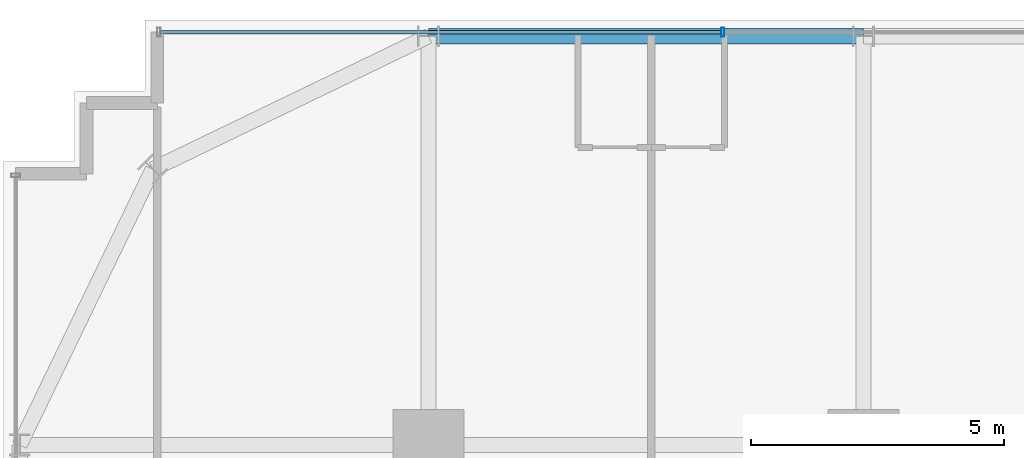
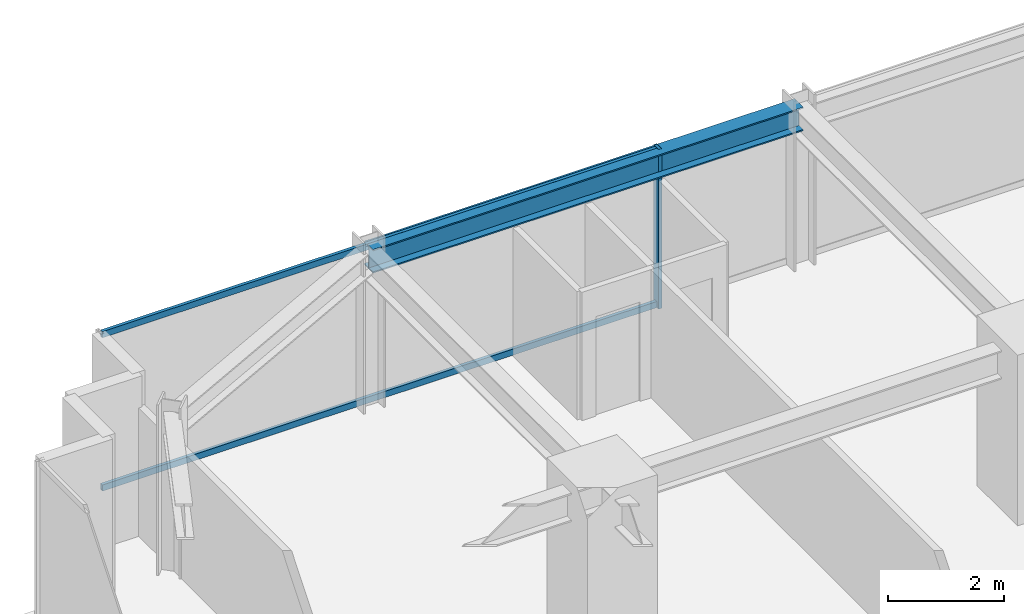
# One storey, part 21 of 36: 3 members, 1 beam, 1 element without a shape of its own.
"""IFC4 building model written with IfcOpenShell, lengths in metres."""

from ifc_helpers import new_model, si_unit, direction, frame, origin, origin_2d, place, context, subcontext, project, spatial, hollow_rectangle, i_section, extrude, source, transform, mapped, material, material_profile, profile_set, type_object, element, aggregate, save


model = new_model("IFC4")

# Units and contexts
model_context = context("Model", 3, precision=1e-05, world=origin(), true_north=direction((0.0, 1.0)))
body_context = subcontext(model_context, "Body", "Model", "MODEL_VIEW")
ifc_project = project(units=[si_unit("LENGTHUNIT", "METRE"), si_unit("AREAUNIT", "SQUARE_METRE"), si_unit("VOLUMEUNIT", "CUBIC_METRE"), si_unit("PLANEANGLEUNIT", "RADIAN"), si_unit("MASSUNIT", "GRAM", prefix="KILO")], contexts=[model_context])

# Site, building, storey
site_placement = place(None, origin())
site = spatial("IfcSite", under=ifc_project, at=site_placement, CompositionType="ELEMENT")
building_placement = place(site_placement, origin())
building = spatial("IfcBuilding", under=site, at=building_placement, Name="Nahalor Promenade Grand Hotel", CompositionType="ELEMENT")
storey_placement = place(building_placement, frame((0.0, 0.0, 72.550048828125)))
storey = spatial("IfcBuildingStorey", under=building, at=storey_placement, Name="L17", CompositionType="ELEMENT", Elevation=72.550048828125)

# Beam
ifc_material_1 = material(Name="Steel S355JR", Category="steel")
ifc_material_profile_1 = material_profile(ifc_material_1, i_section(OverallWidth=0.3, OverallDepth=0.5, WebThickness=0.0145, FlangeThickness=0.028, at=origin_2d()), Name="HEB 500")
ifc_profile_set_1 = profile_set([ifc_material_profile_1], Name="Steel S355JR")
beam_type = type_object("IfcBeamType", Name="Beam-Spandrel-HEB500", PredefinedType="SPANDREL", material=ifc_profile_set_1)
shared_shape_1 = source(origin(), body_context, "Body", "SweptSolid", [
    extrude(i_section(OverallWidth=0.3, OverallDepth=0.5, WebThickness=0.0145, FlangeThickness=0.028, at=origin_2d()), origin(), (0.0, 0.0, 1.0), 8.60009765625),
])
beam_placement = place(storey_placement, frame((-17.0, 25.080078125, 3.119873046875), z_axis=(1.0, 0.0, 0.0), x_axis=(0.0, 1.0, 0.0)))
element("IfcBeam", 1, at=beam_placement, inside=storey, type_object=beam_type, Name="BM-L17-SP-N-0", PredefinedType="SPANDREL", context=body_context, shape_type="MappedRepresentation", body=[
    mapped(shared_shape_1, transform((0.0, 0.0, 0.0), scale=1.0)),
])

# Curtain wall, members
ifc_material_2 = material(Name="Anodised Bronze Aluminium EN AW-6063 T6", Category="aluminium")
curtain_wall_type = type_object("IfcCurtainWallType", Name="CW2 Typical Hotel Flush Bronze Unitised Curtain Wall", PredefinedType="USERDEFINED", material=ifc_material_2)
curtain_wall_placement = place(storey_placement, origin())
curtain_wall = element("IfcCurtainWall", 2, at=curtain_wall_placement, inside=storey, type_object=curtain_wall_type, Name="L17 Curtain Wall CW-L17-N-1", ObjectType="UNITISED_CURTAIN_WALL", PredefinedType="USERDEFINED")
ifc_material_profile_2 = material_profile(ifc_material_2, hollow_rectangle(XDim=0.065, YDim=0.13, WallThickness=0.004, at=origin_2d()), Name="CWT 65x130x4")
ifc_profile_set_2 = profile_set([ifc_material_profile_2], Name="Anodised Bronze Aluminium EN AW-6063 T6")
member_type_1 = type_object("IfcMemberType", Name="CWT2 Typical Bronze Transom 65x130", PredefinedType="USERDEFINED", material=ifc_profile_set_2)
shared_shape_2 = source(origin(), body_context, "Body", "SweptSolid", [
    extrude(hollow_rectangle(XDim=0.065, YDim=0.13, WallThickness=0.004, at=origin_2d()), origin(), (0.0, 0.0, 1.0), 11.08251953125),
])
member_1_placement = place(storey_placement, frame((-22.294921875, 25.159912109375, 0.06494140625), z_axis=(1.0, 0.0, 0.0), x_axis=(0.0, 1.0, 0.0)))
member_1 = element("IfcMember", 3, at=member_1_placement, type_object=member_type_1, Name="CW-L17-N-1 Transom 0-0", ObjectType="TRANSOM", PredefinedType="USERDEFINED", context=body_context, shape_type="MappedRepresentation", body=[
    mapped(shared_shape_2, transform((0.0, 0.0, 0.0), scale=1.0)),
])
member_2_placement = place(storey_placement, frame((-22.294921875, 25.159912109375, 3.304931640625), z_axis=(1.0, 0.0, 0.0), x_axis=(0.0, 1.0, 0.0)))
member_2 = element("IfcMember", 4, at=member_2_placement, type_object=member_type_1, Name="CW-L17-N-1 Transom 0-1", ObjectType="TRANSOM", PredefinedType="USERDEFINED", context=body_context, shape_type="MappedRepresentation", body=[
    mapped(shared_shape_2, transform((0.0, 0.0, 0.0), scale=1.0)),
])
ifc_material_profile_3 = material_profile(ifc_material_2, hollow_rectangle(XDim=0.065, YDim=0.18, WallThickness=0.004, at=origin_2d()), Name="CWM 65x180x4")
ifc_profile_set_3 = profile_set([ifc_material_profile_3], Name="Anodised Bronze Aluminium EN AW-6063 T6")
member_type_2 = type_object("IfcMemberType", Name="CWM2 Typical Bronze Mullion 65x180", PredefinedType="MULLION", material=ifc_profile_set_3)
shared_shape_3 = source(origin(), body_context, "Body", "SweptSolid", [
    extrude(hollow_rectangle(XDim=0.065, YDim=0.18, WallThickness=0.004, at=origin_2d()), origin(), (0.0, 0.0, 1.0), 3.369873046875),
])
member_3_placement = place(storey_placement, frame((-11.179931640625, 25.159912109375, 0.0), z_axis=(0.0, 0.0, 1.0), x_axis=(1.0, 0.0, 0.0)))
member_3 = element("IfcMember", 5, at=member_3_placement, type_object=member_type_2, Name="CW-L17-N-1 Mullion 1", PredefinedType="MULLION", context=body_context, shape_type="MappedRepresentation", body=[
    mapped(shared_shape_3, transform((0.0, 0.0, 0.0), scale=1.0)),
])
aggregate(curtain_wall, [member_3, member_1, member_2])

save(model, "model.ifc")
